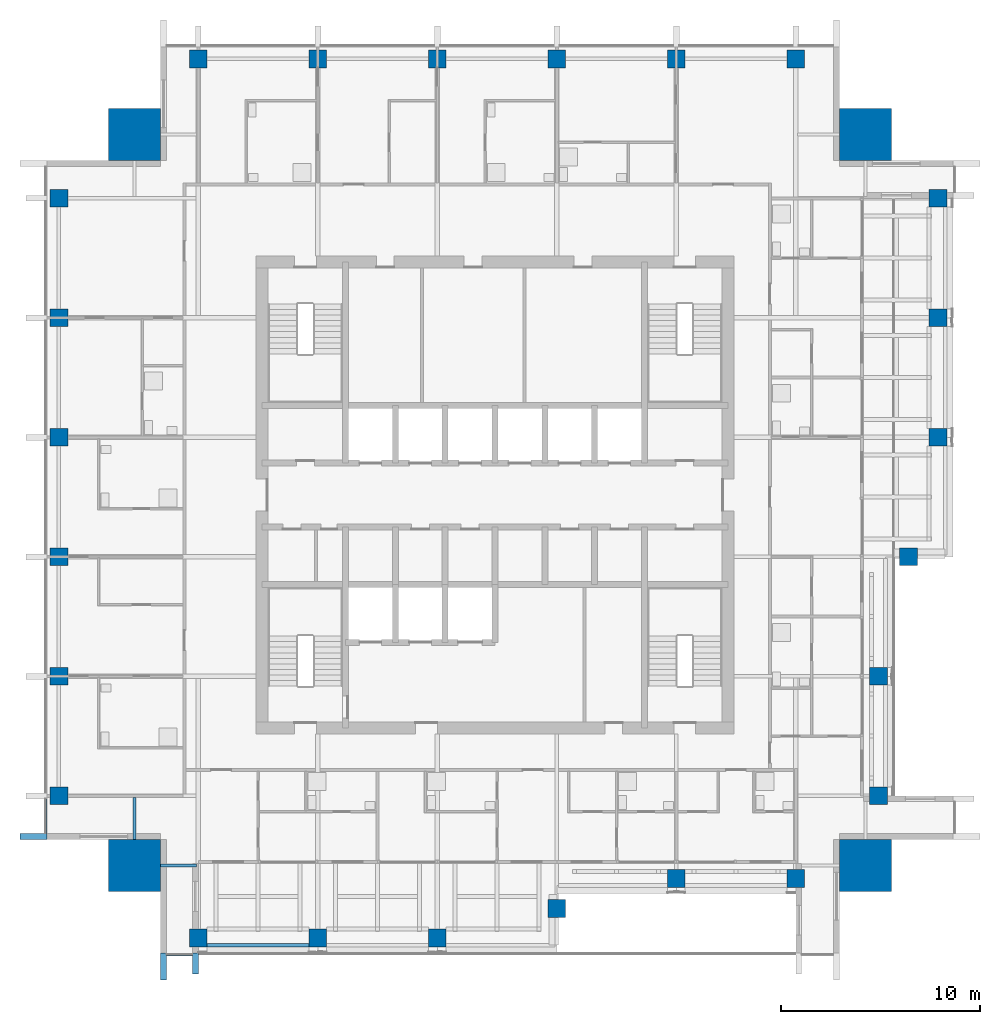
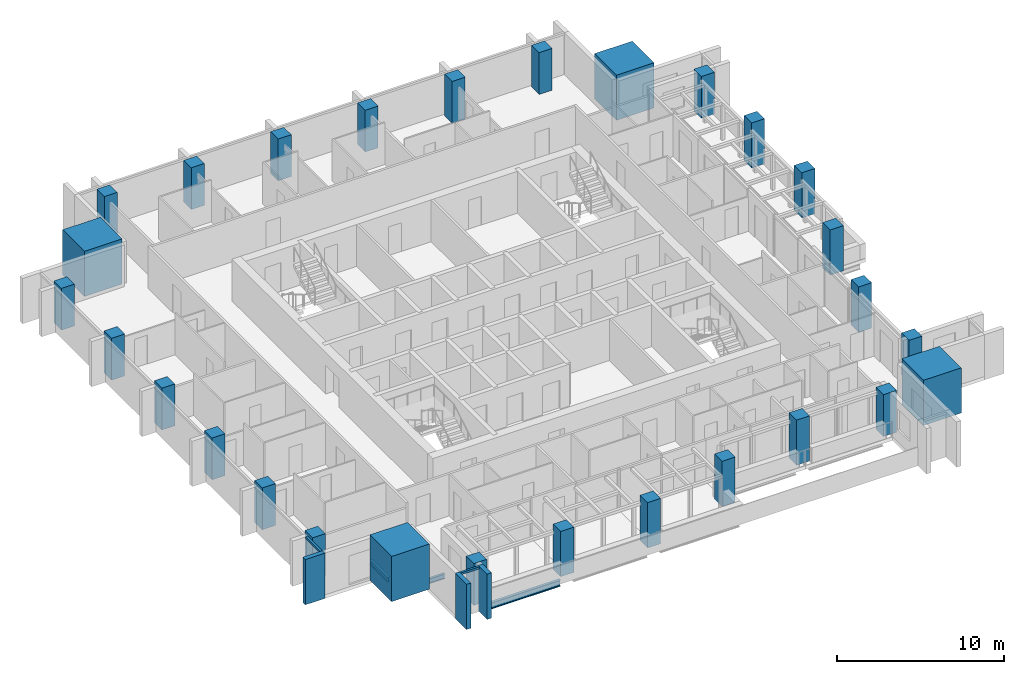
# One storey, part 1 of 17: 28 columns, 5 members, 3 beams, 2 elements without a shape of their own.
"""IFC4 building model written with IfcOpenShell, lengths in metres."""

from ifc_helpers import new_model, si_unit, direction, frame, origin, origin_2d, place, context, subcontext, project, spatial, rectangle, i_section, extrude, material, material_profile, profile_set, type_object, element, aggregate, save


model = new_model("IFC4")

# Units and contexts
model_context = context("Model", 3, precision=1e-05, world=origin(), true_north=direction((0.0, 1.0)))
body_context = subcontext(model_context, "Body", "Model", "MODEL_VIEW")
ifc_project = project(units=[si_unit("LENGTHUNIT", "METRE"), si_unit("AREAUNIT", "SQUARE_METRE"), si_unit("VOLUMEUNIT", "CUBIC_METRE"), si_unit("PLANEANGLEUNIT", "RADIAN"), si_unit("MASSUNIT", "GRAM", prefix="KILO")], contexts=[model_context])

# Site, building, storey
site_placement = place(None, origin())
site = spatial("IfcSite", under=ifc_project, at=site_placement, CompositionType="ELEMENT")
building_placement = place(site_placement, origin())
building = spatial("IfcBuilding", under=site, at=building_placement, Name="Amberfall Residences", CompositionType="ELEMENT")
storey_placement = place(building_placement, frame((0.0, 0.0, 216.699951171875)))
storey = spatial("IfcBuildingStorey", under=building, at=storey_placement, Name="L58", CompositionType="ELEMENT", Elevation=216.699951171875)

# Columns
ifc_material_1 = material(Name="Concrete C55", Category="concrete")
ifc_material_profile_1 = material_profile(ifc_material_1, rectangle(XDim=0.89990234375, YDim=0.89990234375, at=origin_2d()), Name="Column 900 x 900 C55")
ifc_profile_set_1 = profile_set([ifc_material_profile_1], Name="Concrete C55")
column_type_1 = type_object("IfcColumnType", Name="Column 900 x 900 C55", PredefinedType="COLUMN", material=ifc_profile_set_1)
column_placement = place(storey_placement, frame((59.60009765625, 23.25, 0.0), z_axis=(0.0, 0.0, 1.0), x_axis=(1.0, 0.0, 0.0)))
element("IfcColumn", 1, at=column_placement, inside=storey, type_object=column_type_1, Name="Column C4 L58 S1", PredefinedType="COLUMN", context=body_context, shape_type="SweptSolid", body=[
    extrude(rectangle(XDim=0.89990234375, YDim=0.89990234375, at=origin_2d()), origin(), (0.0, 0.0, 1.0), 3.050048828125),
])
for number, where, z_axis, x_axis, name in (
    (2, (65.60009765625, 23.25, 0.0), (0.0, 0.0, 1.0), (1.0, 0.0, 0.0), "Column C4 L58 S2"),
    (3, (71.60009765625, 23.25, 0.0), (0.0, 0.0, 1.0), (1.0, 0.0, 0.0), "Column C4 L58 S3"),
    (4, (77.60009765625, 24.75, 0.0), (0.0, 0.0, 1.0), (1.0, 0.0, 0.0), "Column C4 L58 S4"),
    (5, (83.60009765625, 26.25, 0.0), (0.0, 0.0, 1.0), (1.0, 0.0, 0.0), "Column C4 L58 S5"),
):
    element("IfcColumn", number, at=place(storey_placement, frame(where, z_axis=z_axis, x_axis=x_axis)), inside=storey, type_object=column_type_1, Name=name, PredefinedType="COLUMN", context=body_context, shape_type="SweptSolid", body=[
        extrude(rectangle(XDim=0.89990234375, YDim=0.89990234375, at=origin_2d()), origin(), (0.0, 0.0, 1.0), 3.300048828125),
    ])
for number, where, z_axis, x_axis, name in (
    (6, (89.60009765625, 26.25, 0.0), (0.0, 0.0, 1.0), (1.0, 0.0, 0.0), "Column C4 L58 S6"),
    (7, (93.75, 30.39990234375, 0.0), (0.0, 0.0, 1.0), (1.0, 0.0, 0.0), "Column C4 L58 E1"),
):
    element("IfcColumn", number, at=place(storey_placement, frame(where, z_axis=z_axis, x_axis=x_axis)), inside=storey, type_object=column_type_1, Name=name, PredefinedType="COLUMN", context=body_context, shape_type="SweptSolid", body=[
        extrude(rectangle(XDim=0.89990234375, YDim=0.89990234375, at=origin_2d()), origin(), (0.0, 0.0, 1.0), 3.050048828125),
    ])
for number, where, z_axis, x_axis, name in (
    (8, (93.75, 36.39990234375, 0.0), (0.0, 0.0, 1.0), (1.0, 0.0, 0.0), "Column C4 L58 E2"),
    (9, (95.25, 42.39990234375, 0.0), (0.0, 0.0, 1.0), (1.0, 0.0, 0.0), "Column C4 L58 E3"),
    (10, (96.75, 48.39990234375, 0.0), (0.0, 0.0, 1.0), (1.0, 0.0, 0.0), "Column C4 L58 E4"),
    (11, (96.75, 54.39990234375, 0.0), (0.0, 0.0, 1.0), (1.0, 0.0, 0.0), "Column C4 L58 E5"),
):
    element("IfcColumn", number, at=place(storey_placement, frame(where, z_axis=z_axis, x_axis=x_axis)), inside=storey, type_object=column_type_1, Name=name, PredefinedType="COLUMN", context=body_context, shape_type="SweptSolid", body=[
        extrude(rectangle(XDim=0.89990234375, YDim=0.89990234375, at=origin_2d()), origin(), (0.0, 0.0, 1.0), 3.300048828125),
    ])
for number, where, z_axis, x_axis, name in (
    (12, (96.75, 60.39990234375, 0.0), (0.0, 0.0, 1.0), (1.0, 0.0, 0.0), "Column C4 L58 E6"),
    (13, (59.60009765625, 67.39990234375, 0.0), (0.0, 0.0, 1.0), (1.0, 0.0, 0.0), "Column C4 L58 N1"),
    (14, (65.60009765625, 67.39990234375, 0.0), (0.0, 0.0, 1.0), (1.0, 0.0, 0.0), "Column C4 L58 N2"),
    (15, (71.60009765625, 67.39990234375, 0.0), (0.0, 0.0, 1.0), (1.0, 0.0, 0.0), "Column C4 L58 N3"),
    (16, (77.60009765625, 67.39990234375, 0.0), (0.0, 0.0, 1.0), (1.0, 0.0, 0.0), "Column C4 L58 N4"),
    (17, (83.60009765625, 67.39990234375, 0.0), (0.0, 0.0, 1.0), (1.0, 0.0, 0.0), "Column C4 L58 N5"),
    (18, (89.60009765625, 67.39990234375, 0.0), (0.0, 0.0, 1.0), (1.0, 0.0, 0.0), "Column C4 L58 N6"),
    (19, (52.60009765625, 30.39990234375, 0.0), (0.0, 0.0, 1.0), (1.0, 0.0, 0.0), "Column C4 L58 W1"),
    (20, (52.60009765625, 36.39990234375, 0.0), (0.0, 0.0, 1.0), (1.0, 0.0, 0.0), "Column C4 L58 W2"),
    (21, (52.60009765625, 42.39990234375, 0.0), (0.0, 0.0, 1.0), (1.0, 0.0, 0.0), "Column C4 L58 W3"),
    (22, (52.60009765625, 48.39990234375, 0.0), (0.0, 0.0, 1.0), (1.0, 0.0, 0.0), "Column C4 L58 W4"),
    (23, (52.60009765625, 54.39990234375, 0.0), (0.0, 0.0, 1.0), (1.0, 0.0, 0.0), "Column C4 L58 W5"),
    (24, (52.60009765625, 60.39990234375, 0.0), (0.0, 0.0, 1.0), (1.0, 0.0, 0.0), "Column C4 L58 W6"),
):
    element("IfcColumn", number, at=place(storey_placement, frame(where, z_axis=z_axis, x_axis=x_axis)), inside=storey, type_object=column_type_1, Name=name, PredefinedType="COLUMN", context=body_context, shape_type="SweptSolid", body=[
        extrude(rectangle(XDim=0.89990234375, YDim=0.89990234375, at=origin_2d()), origin(), (0.0, 0.0, 1.0), 3.050048828125),
    ])
ifc_material_profile_2 = material_profile(ifc_material_1, rectangle(XDim=2.60009765625, YDim=2.60009765625, at=origin_2d()), Name="Mega column 2600 x 2600 C55")
ifc_profile_set_2 = profile_set([ifc_material_profile_2], Name="Concrete C55")
column_type_2 = type_object("IfcColumnType", Name="Mega column 2600 x 2600 C55", PredefinedType="COLUMN", material=ifc_profile_set_2)
for number, where, z_axis, x_axis, name in (
    (25, (56.39990234375, 26.89990234375, 0.0), (0.0, 0.0, 1.0), (1.0, 0.0, 0.0), "Mega column MC8 L58 SW"),
    (26, (93.10009765625, 26.89990234375, 0.0), (0.0, 0.0, 1.0), (1.0, 0.0, 0.0), "Mega column MC8 L58 SE"),
    (27, (93.10009765625, 63.60009765625, 0.0), (0.0, 0.0, 1.0), (1.0, 0.0, 0.0), "Mega column MC8 L58 NE"),
    (28, (56.39990234375, 63.60009765625, 0.0), (0.0, 0.0, 1.0), (1.0, 0.0, 0.0), "Mega column MC8 L58 NW"),
):
    element("IfcColumn", number, at=place(storey_placement, frame(where, z_axis=z_axis, x_axis=x_axis)), inside=storey, type_object=column_type_2, Name=name, PredefinedType="COLUMN", context=body_context, shape_type="SweptSolid", body=[
        extrude(rectangle(XDim=2.60009765625, YDim=2.60009765625, at=origin_2d()), origin(), (0.0, 0.0, 1.0), 3.300048828125),
    ])

# Curtain wall, member
ifc_material_2 = material(Name="Bronze anodised aluminium and glass", Category="aluminium")
curtain_wall_type = type_object("IfcCurtainWallType", Name="Curtain wall CW1 tower unit", PredefinedType="USERDEFINED", material=ifc_material_2)
curtain_wall_1_placement = place(storey_placement, origin())
curtain_wall_1 = element("IfcCurtainWall", 29, at=curtain_wall_1_placement, inside=storey, type_object=curtain_wall_type, Name="Curtain wall L58 S S1", ObjectType="UNITISED CURTAIN WALL", PredefinedType="USERDEFINED")
ifc_material_3 = material(Name="Bronze anodised aluminium", Category="aluminium")
ifc_material_profile_3 = material_profile(ifc_material_3, rectangle(XDim=0.14990234375, YDim=0.14990234375, at=origin_2d()), Name="CW1 transom 150 x 150 bronze")
ifc_profile_set_3 = profile_set([ifc_material_profile_3], Name="Bronze anodised aluminium")
member_type_1 = type_object("IfcMemberType", Name="CW1 transom 150 x 150 bronze", PredefinedType="USERDEFINED", material=ifc_profile_set_3)
member_1_placement = place(storey_placement, frame((58.0, 22.425048828125, 2.97509765625), z_axis=(1.0, 0.0, 0.0), x_axis=(0.0, 1.0, 0.0)))
member_1 = element("IfcMember", 30, at=member_1_placement, type_object=member_type_1, Name="CW1 transom 1.1", ObjectType="TRANSOM", PredefinedType="USERDEFINED", context=body_context, shape_type="SweptSolid", body=[
    extrude(rectangle(XDim=0.14990234375, YDim=0.14990234375, at=origin_2d()), origin(), (0.0, 0.0, 1.0), 1.300048828125),
])

curtain_wall_2_placement = place(storey_placement, origin())
curtain_wall_2 = element("IfcCurtainWall", 31, at=curtain_wall_2_placement, inside=storey, type_object=curtain_wall_type, Name="Curtain wall L58 W W1", ObjectType="UNITISED CURTAIN WALL", PredefinedType="USERDEFINED")
member_2_placement = place(storey_placement, frame((51.925048828125, 30.25, 2.97509765625), z_axis=(0.0, -1.0, 0.0), x_axis=(1.0, 0.0, 0.0)))
member_2 = element("IfcMember", 32, at=member_2_placement, type_object=member_type_1, Name="CW1 transom 7.1", ObjectType="TRANSOM", PredefinedType="USERDEFINED", context=body_context, shape_type="SweptSolid", body=[
    extrude(rectangle(XDim=0.14990234375, YDim=0.14990234375, at=origin_2d()), origin(), (0.0, 0.0, 1.0), 1.75),
])

# Member
ifc_material_profile_4 = material_profile(ifc_material_3, rectangle(XDim=1.35009765625, YDim=0.300048828125, at=origin_2d()), Name="Corner fin 300 x 1350 bronze")
ifc_profile_set_4 = profile_set([ifc_material_profile_4], Name="Bronze anodised aluminium")
member_type_2 = type_object("IfcMemberType", Name="Corner fin 300 x 1350 bronze", PredefinedType="MULLION", material=ifc_profile_set_4)
member_3_placement = place(storey_placement, frame((57.85009765625, 21.824951171875, -0.25), z_axis=(0.0, 0.0, 1.0), x_axis=(0.0, 1.0, 0.0)))
member_3 = element("IfcMember", 33, at=member_3_placement, type_object=member_type_2, Name="CW FIN 1", PredefinedType="MULLION", context=body_context, shape_type="SweptSolid", body=[
    extrude(rectangle(XDim=1.35009765625, YDim=0.300048828125, at=origin_2d()), origin(), (0.0, 0.0, 1.0), 3.300048828125),
])

member_4_placement = place(storey_placement, frame((51.324951171875, 28.35009765625, -0.25), z_axis=(0.0, 0.0, 1.0), x_axis=(1.0, 0.0, 0.0)))
member_4 = element("IfcMember", 34, at=member_4_placement, type_object=member_type_2, Name="CW FIN 8", PredefinedType="MULLION", context=body_context, shape_type="SweptSolid", body=[
    extrude(rectangle(XDim=1.35009765625, YDim=0.300048828125, at=origin_2d()), origin(), (0.0, 0.0, 1.0), 3.300048828125),
])

aggregate(curtain_wall_2, [member_4, member_2])

# Beam
ifc_material_4 = material(Name="Steel S355", Category="steel")
ifc_material_profile_5 = material_profile(ifc_material_4, i_section(OverallWidth=0.18994140625, OverallDepth=0.453369140625, WebThickness=0.008544921875, FlangeThickness=0.0126953125, FilletRadius=0.01025390625, at=origin_2d()), Name="UB 457x191x67")
ifc_profile_set_5 = profile_set([ifc_material_profile_5], Name="Steel S355")
beam_type_1 = type_object("IfcBeamType", Name="Edge beam UB 457x191x67", PredefinedType="SPANDREL", material=ifc_profile_set_5)
beam_1_placement = place(storey_placement, frame((60.050048828125, 22.89990234375, -0.4765625), z_axis=(1.0, 0.0, 0.0), x_axis=(0.0, 1.0, 0.0)))
element("IfcBeam", 35, at=beam_1_placement, inside=storey, type_object=beam_type_1, Name="Edge beam B1 L58 01", PredefinedType="SPANDREL", context=body_context, shape_type="SweptSolid", body=[
    extrude(i_section(OverallWidth=0.18994140625, OverallDepth=0.453369140625, WebThickness=0.008544921875, FlangeThickness=0.0126953125, FilletRadius=0.01025390625, at=origin_2d()), origin(), (0.0, 0.0, 1.0), 5.099853515625),
])

# Member
ifc_material_profile_6 = material_profile(ifc_material_3, rectangle(XDim=1.050048828125, YDim=0.300048828125, at=origin_2d()), Name="Fin 300 x 1050 bronze")
ifc_profile_set_6 = profile_set([ifc_material_profile_6], Name="Bronze anodised aluminium")
member_type_3 = type_object("IfcMemberType", Name="Fin 300 x 1050 bronze", PredefinedType="MULLION", material=ifc_profile_set_6)
member_5_placement = place(storey_placement, frame((59.449951171875, 21.97509765625, -0.25), z_axis=(0.0, 0.0, 1.0), x_axis=(0.0, 1.0, 0.0)))
member_5 = element("IfcMember", 36, at=member_5_placement, type_object=member_type_3, Name="CW FIN 2", PredefinedType="MULLION", context=body_context, shape_type="SweptSolid", body=[
    extrude(rectangle(XDim=1.050048828125, YDim=0.300048828125, at=origin_2d()), origin(), (0.0, 0.0, 1.0), 3.300048828125),
])

aggregate(curtain_wall_1, [member_3, member_5, member_1])

# Beams
ifc_material_profile_7 = material_profile(ifc_material_4, i_section(OverallWidth=0.171142578125, OverallDepth=0.351318359375, WebThickness=0.007080078125, FlangeThickness=0.009765625, FilletRadius=0.01025390625, at=origin_2d()), Name="UB 356x171x45")
ifc_profile_set_7 = profile_set([ifc_material_profile_7], Name="Steel S355")
beam_type_2 = type_object("IfcBeamType", Name="Link beam UB 356x171x45", PredefinedType="BEAM", material=ifc_profile_set_7)
beam_2_placement = place(storey_placement, frame((57.699951171875, 26.89990234375, -0.425537109375), z_axis=(1.0, 0.0, 0.0), x_axis=(0.0, 1.0, 0.0)))
element("IfcBeam", 37, at=beam_2_placement, inside=storey, type_object=beam_type_2, Name="Link beam B7 L58 47", PredefinedType="BEAM", context=body_context, shape_type="SweptSolid", body=[
    extrude(i_section(OverallWidth=0.171142578125, OverallDepth=0.351318359375, WebThickness=0.007080078125, FlangeThickness=0.009765625, FilletRadius=0.01025390625, at=origin_2d()), origin(), (0.0, 0.0, 1.0), 1.8046875),
])
beam_3_placement = place(storey_placement, frame((56.39990234375, 28.199951171875, -0.425537109375), z_axis=(0.0, 1.0, 0.0), x_axis=(-1.0, 0.0, 0.0)))
element("IfcBeam", 38, at=beam_3_placement, inside=storey, type_object=beam_type_2, Name="Link beam B7 L58 48", PredefinedType="BEAM", context=body_context, shape_type="SweptSolid", body=[
    extrude(i_section(OverallWidth=0.171142578125, OverallDepth=0.351318359375, WebThickness=0.007080078125, FlangeThickness=0.009765625, FilletRadius=0.01025390625, at=origin_2d()), origin(), (0.0, 0.0, 1.0), 2.121337890625),
])

save(model, "model.ifc")
